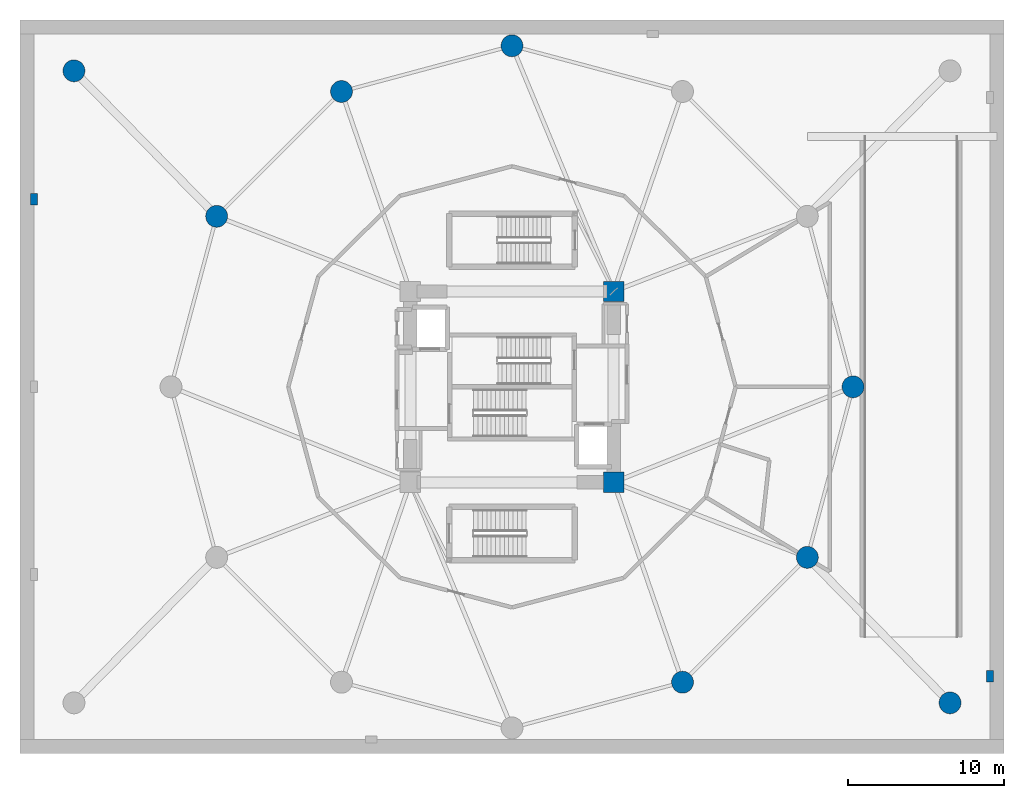
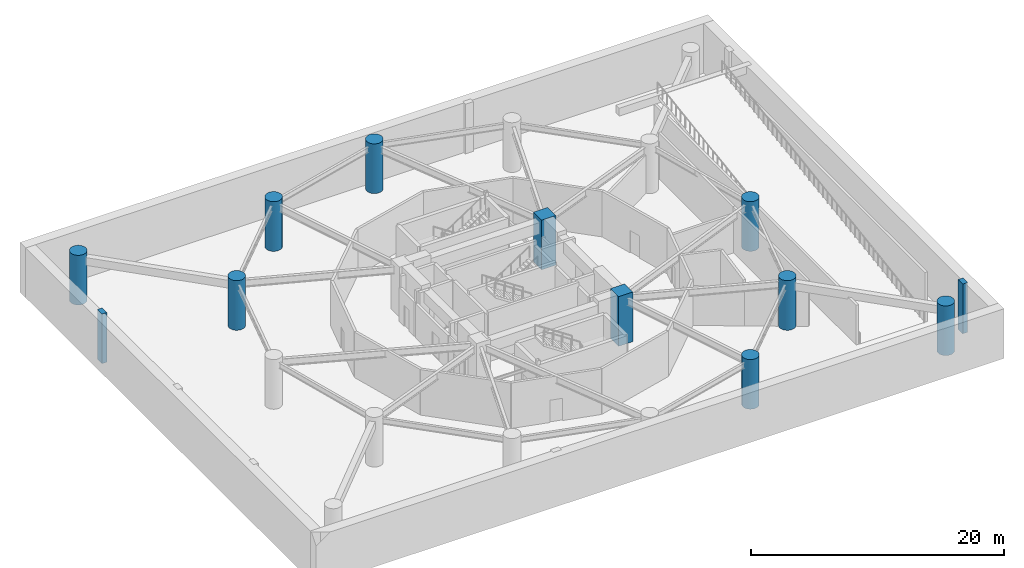
# One storey, part 2 of 10: 12 columns.
"""IFC4 building model written with IfcOpenShell, lengths in metres."""

from ifc_helpers import new_model, si_unit, direction, frame, origin, origin_2d, place, context, subcontext, project, spatial, rectangle, circle, extrude, material, material_profile, profile_set, type_object, element, save


model = new_model("IFC4")

# Units and contexts
model_context = context("Model", 3, precision=1e-05, world=origin(), true_north=direction((0.0, 1.0)))
body_context = subcontext(model_context, "Body", "Model", "MODEL_VIEW")
ifc_project = project(units=[si_unit("LENGTHUNIT", "METRE"), si_unit("AREAUNIT", "SQUARE_METRE"), si_unit("VOLUMEUNIT", "CUBIC_METRE"), si_unit("PLANEANGLEUNIT", "RADIAN"), si_unit("MASSUNIT", "GRAM", prefix="KILO")], contexts=[model_context])

# Site, building, storey
site_placement = place(None, origin())
site = spatial("IfcSite", under=ifc_project, at=site_placement, CompositionType="ELEMENT")
building_placement = place(site_placement, origin())
building = spatial("IfcBuilding", under=site, at=building_placement, Name="Solvirekh Grand Hotel", CompositionType="ELEMENT")
storey_placement = place(building_placement, frame((0.0, 0.0, -4.800048828125)))
storey = spatial("IfcBuildingStorey", under=building, at=storey_placement, Name="B01", CompositionType="ELEMENT", Elevation=-4.800048828125)

# Columns
ifc_material_1 = material(Name="Concrete C60/75", Category="concrete")
ifc_material_profile_1 = material_profile(ifc_material_1, circle(Radius=0.699951171875, at=origin_2d()), Name="RC CIRC D1400")
ifc_profile_set_1 = profile_set([ifc_material_profile_1], Name="Concrete C60/75")
column_type_1 = type_object("IfcColumnType", Name="Col_Base_D1400", PredefinedType="COLUMN", material=ifc_profile_set_1)
for number, where, z_axis, x_axis, name in (
    (1, (21.800048828125, 0.0, 0.0), (0.0, 0.0, 1.0), (1.0, 0.0, 0.0), "B01 perimeter column P01"),
    (2, (0.0, 21.800048828125, 0.0), (0.0, 0.0, 1.0), (1.0, 0.0, 0.0), "B01 perimeter column P04"),
    (3, (-10.89990234375, 18.87890625, 0.0), (0.0, 0.0, 1.0), (1.0, 0.0, 0.0), "B01 perimeter column P05"),
    (4, (-18.87890625, 10.89990234375, 0.0), (0.0, 0.0, 1.0), (1.0, 0.0, 0.0), "B01 perimeter column P06"),
    (5, (10.89990234375, -18.87890625, 0.0), (0.0, 0.0, 1.0), (1.0, 0.0, 0.0), "B01 perimeter column P11"),
    (6, (18.87890625, -10.89990234375, 0.0), (0.0, 0.0, 1.0), (1.0, 0.0, 0.0), "B01 perimeter column P12"),
    (7, (-28.0, 20.199951171875, 0.0), (0.0, 0.0, 1.0), (1.0, 0.0, 0.0), "B01 basement corner column BC-NW"),
    (8, (28.0, -20.199951171875, 0.0), (0.0, 0.0, 1.0), (1.0, 0.0, 0.0), "B01 basement corner column BC-SE"),
):
    element("IfcColumn", number, at=place(storey_placement, frame(where, z_axis=z_axis, x_axis=x_axis)), inside=storey, type_object=column_type_1, Name=name, PredefinedType="COLUMN", context=body_context, shape_type="SweptSolid", body=[
        extrude(circle(Radius=0.699951171875, at=origin_2d()), origin(), (0.0, 0.0, 1.0), 4.800048828125),
    ])
ifc_material_profile_2 = material_profile(ifc_material_1, rectangle(XDim=1.300048828125, YDim=1.300048828125, at=origin_2d()), Name="RC 1300X1300")
ifc_profile_set_2 = profile_set([ifc_material_profile_2], Name="Concrete C60/75")
column_type_2 = type_object("IfcColumnType", Name="Col_Core_1300", PredefinedType="COLUMN", material=ifc_profile_set_2)
for number, where, z_axis, x_axis, name in (
    (9, (6.5, -6.10009765625, 0.0), (0.0, 0.0, 1.0), (1.0, 0.0, 0.0), "B01 core corner column CC2"),
    (10, (6.5, 6.10009765625, 0.0), (0.0, 0.0, 1.0), (1.0, 0.0, 0.0), "B01 core corner column CC3"),
):
    element("IfcColumn", number, at=place(storey_placement, frame(where, z_axis=z_axis, x_axis=x_axis)), inside=storey, type_object=column_type_2, Name=name, PredefinedType="COLUMN", context=body_context, shape_type="SweptSolid", body=[
        extrude(rectangle(XDim=1.300048828125, YDim=1.300048828125, at=origin_2d()), origin(), (0.0, 0.0, 1.0), 4.800048828125),
    ])
ifc_material_2 = material(Name="Concrete C50/60", Category="concrete")
ifc_material_profile_3 = material_profile(ifc_material_2, rectangle(XDim=0.449951171875, YDim=0.75, at=origin_2d()), Name="RC PILASTER 750X450")
ifc_profile_set_3 = profile_set([ifc_material_profile_3], Name="Concrete C50/60")
column_type_3 = type_object("IfcColumnType", Name="Pilaster_750X450", PredefinedType="PILASTER", material=ifc_profile_set_3)
for number, where, z_axis, x_axis, name in (
    (11, (-30.550048828125, 12.0, 0.0), (0.0, 0.0, 1.0), (1.0, 0.0, 0.0), "B01 retaining wall pilaster 3"),
    (12, (30.550048828125, -18.5, 0.0), (0.0, 0.0, 1.0), (1.0, 0.0, 0.0), "B01 retaining wall pilaster 4"),
):
    element("IfcColumn", number, at=place(storey_placement, frame(where, z_axis=z_axis, x_axis=x_axis)), inside=storey, type_object=column_type_3, Name=name, PredefinedType="PILASTER", context=body_context, shape_type="SweptSolid", body=[
        extrude(rectangle(XDim=0.449951171875, YDim=0.75, at=origin_2d()), origin(), (0.0, 0.0, 1.0), 4.800048828125),
    ])

save(model, "model.ifc")
